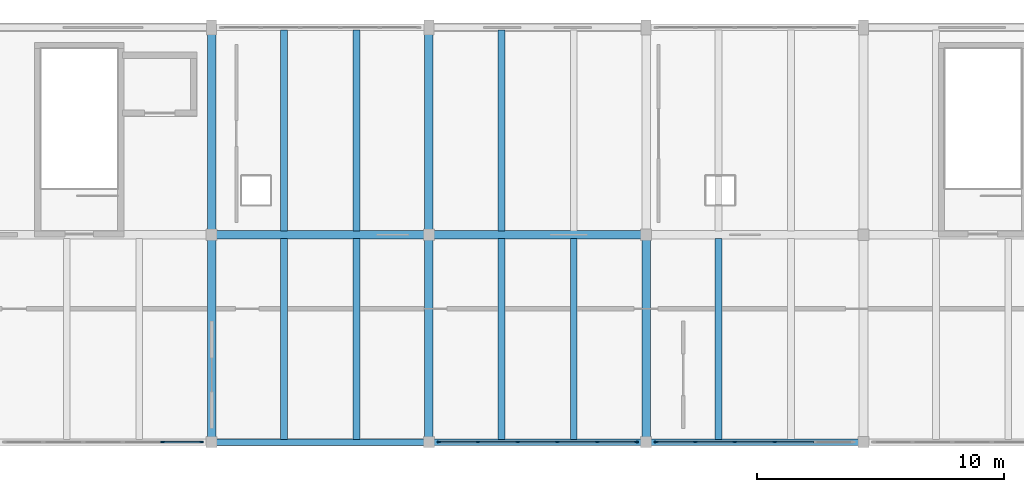
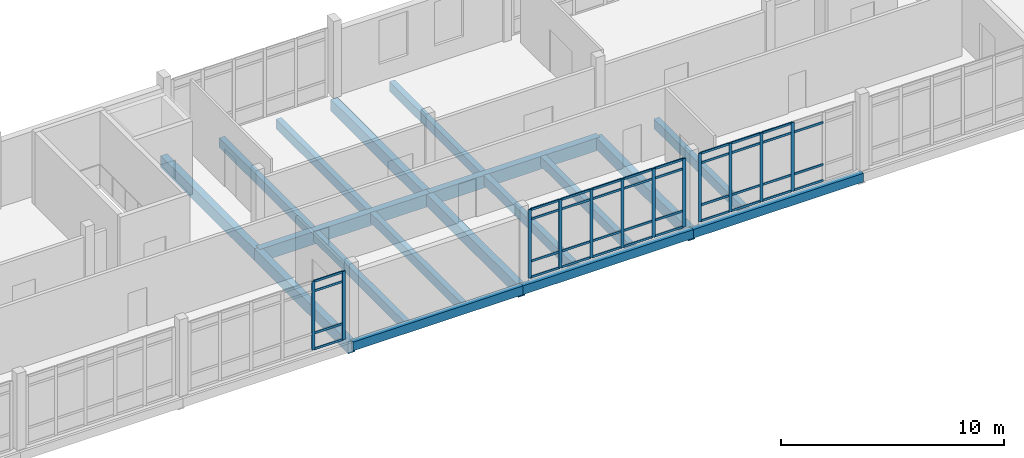
# One storey, part 5 of 13: 51 members, 18 beams, 3 elements without a shape of their own.
"""IFC4 building model written with IfcOpenShell, lengths in metres."""

from ifc_helpers import new_model, si_unit, direction, frame, origin, origin_2d, place, context, subcontext, project, spatial, rectangle, extrude, material, material_profile, profile_set, type_object, element, aggregate, save


model = new_model("IFC4")

# Units and contexts
model_context = context("Model", 3, precision=1e-05, world=origin(), true_north=direction((0.0, 1.0)))
body_context = subcontext(model_context, "Body", "Model", "MODEL_VIEW")
ifc_project = project(units=[si_unit("LENGTHUNIT", "METRE"), si_unit("AREAUNIT", "SQUARE_METRE"), si_unit("VOLUMEUNIT", "CUBIC_METRE"), si_unit("PLANEANGLEUNIT", "RADIAN"), si_unit("MASSUNIT", "GRAM", prefix="KILO")], contexts=[model_context])

# Site, building, storey
site_placement = place(None, origin())
site = spatial("IfcSite", under=ifc_project, at=site_placement, CompositionType="ELEMENT")
building_placement = place(site_placement, origin())
building = spatial("IfcBuilding", under=site, at=building_placement, Name="Cinderway Yard Community Centre", CompositionType="ELEMENT")
storey_placement = place(building_placement, frame((0.0, 0.0, 20.10009765625)))
storey = spatial("IfcBuildingStorey", under=building, at=storey_placement, Name="L05", CompositionType="ELEMENT", Elevation=20.10009765625)

# Curtain wall, members
ifc_material_1 = material(Name="Aluminium 6063-T6", Category="aluminium")
curtain_wall_type = type_object("IfcCurtainWallType", Name="ENV-CW-TYPE-27", PredefinedType="USERDEFINED", material=ifc_material_1)
curtain_wall_1_placement = place(storey_placement, origin())
curtain_wall_1 = element("IfcCurtainWall", 1, at=curtain_wall_1_placement, inside=storey, type_object=curtain_wall_type, Name="V4 Courtyard Curtain Wall ENV-CW-L05-ST-0191", ObjectType="GLAZED CURTAIN WALL", PredefinedType="USERDEFINED")
ifc_material_profile_1 = material_profile(ifc_material_1, rectangle(XDim=0.06005859375, YDim=0.159912109375, at=origin_2d()), Name="Aluminium 6063-T6")
ifc_profile_set_1 = profile_set([ifc_material_profile_1], Name="Aluminium 6063-T6")
member_type_1 = type_object("IfcMemberType", Name="ENV-CW-MULL-150", PredefinedType="MULLION", material=ifc_profile_set_1)
member_1_placement = place(storey_placement, frame((82.011962890625, 98.39990234375, 0.0), z_axis=(0.0, 0.0, 1.0), x_axis=(0.0, 1.0, 0.0)))
member_1 = element("IfcMember", 2, at=member_1_placement, type_object=member_type_1, Name="CW-27 mullion 5", PredefinedType="MULLION", context=body_context, shape_type="SweptSolid", body=[
    extrude(rectangle(XDim=0.06005859375, YDim=0.159912109375, at=origin_2d()), origin(), (0.0, 0.0, 1.0), 3.75),
])
member_2_placement = place(storey_placement, frame((83.590087890625, 98.39990234375, 0.0), z_axis=(0.0, 0.0, 1.0), x_axis=(0.0, 1.0, 0.0)))
member_2 = element("IfcMember", 3, at=member_2_placement, type_object=member_type_1, Name="CW-27 mullion 6", PredefinedType="MULLION", context=body_context, shape_type="SweptSolid", body=[
    extrude(rectangle(XDim=0.06005859375, YDim=0.159912109375, at=origin_2d()), origin(), (0.0, 0.0, 1.0), 3.75),
])

curtain_wall_2_placement = place(storey_placement, origin())
curtain_wall_2 = element("IfcCurtainWall", 4, at=curtain_wall_2_placement, inside=storey, type_object=curtain_wall_type, Name="V4 Courtyard Curtain Wall ENV-CW-L05-ST-0193", ObjectType="GLAZED CURTAIN WALL", PredefinedType="USERDEFINED")
member_3_placement = place(storey_placement, frame((93.2099609375, 98.39990234375, 0.0), z_axis=(0.0, 0.0, 1.0), x_axis=(0.0, 1.0, 0.0)))
member_3 = element("IfcMember", 5, at=member_3_placement, type_object=member_type_1, Name="CW-27 mullion 1", PredefinedType="MULLION", context=body_context, shape_type="SweptSolid", body=[
    extrude(rectangle(XDim=0.06005859375, YDim=0.159912109375, at=origin_2d()), origin(), (0.0, 0.0, 1.0), 3.75),
])
member_4_placement = place(storey_placement, frame((94.7880859375, 98.39990234375, 0.0), z_axis=(0.0, 0.0, 1.0), x_axis=(0.0, 1.0, 0.0)))
member_4 = element("IfcMember", 6, at=member_4_placement, type_object=member_type_1, Name="CW-27 mullion 2", PredefinedType="MULLION", context=body_context, shape_type="SweptSolid", body=[
    extrude(rectangle(XDim=0.06005859375, YDim=0.159912109375, at=origin_2d()), origin(), (0.0, 0.0, 1.0), 3.75),
])
member_5_placement = place(storey_placement, frame((96.39599609375, 98.39990234375, 0.0), z_axis=(0.0, 0.0, 1.0), x_axis=(0.0, 1.0, 0.0)))
member_5 = element("IfcMember", 7, at=member_5_placement, type_object=member_type_1, Name="CW-27 mullion 3", PredefinedType="MULLION", context=body_context, shape_type="SweptSolid", body=[
    extrude(rectangle(XDim=0.06005859375, YDim=0.159912109375, at=origin_2d()), origin(), (0.0, 0.0, 1.0), 3.75),
])
member_6_placement = place(storey_placement, frame((98.00390625, 98.39990234375, 0.0), z_axis=(0.0, 0.0, 1.0), x_axis=(0.0, 1.0, 0.0)))
member_6 = element("IfcMember", 8, at=member_6_placement, type_object=member_type_1, Name="CW-27 mullion 4", PredefinedType="MULLION", context=body_context, shape_type="SweptSolid", body=[
    extrude(rectangle(XDim=0.06005859375, YDim=0.159912109375, at=origin_2d()), origin(), (0.0, 0.0, 1.0), 3.75),
])
member_7_placement = place(storey_placement, frame((99.612060546875, 98.39990234375, 0.0), z_axis=(0.0, 0.0, 1.0), x_axis=(0.0, 1.0, 0.0)))
member_7 = element("IfcMember", 9, at=member_7_placement, type_object=member_type_1, Name="CW-27 mullion 5", PredefinedType="MULLION", context=body_context, shape_type="SweptSolid", body=[
    extrude(rectangle(XDim=0.06005859375, YDim=0.159912109375, at=origin_2d()), origin(), (0.0, 0.0, 1.0), 3.75),
])
member_8_placement = place(storey_placement, frame((101.18994140625, 98.39990234375, 0.0), z_axis=(0.0, 0.0, 1.0), x_axis=(0.0, 1.0, 0.0)))
member_8 = element("IfcMember", 10, at=member_8_placement, type_object=member_type_1, Name="CW-27 mullion 6", PredefinedType="MULLION", context=body_context, shape_type="SweptSolid", body=[
    extrude(rectangle(XDim=0.06005859375, YDim=0.159912109375, at=origin_2d()), origin(), (0.0, 0.0, 1.0), 3.75),
])

curtain_wall_3_placement = place(storey_placement, origin())
curtain_wall_3 = element("IfcCurtainWall", 11, at=curtain_wall_3_placement, inside=storey, type_object=curtain_wall_type, Name="V4 Courtyard Curtain Wall ENV-CW-L05-ST-0195", ObjectType="GLAZED CURTAIN WALL", PredefinedType="USERDEFINED")
member_9_placement = place(storey_placement, frame((102.010009765625, 98.39990234375, 0.0), z_axis=(0.0, 0.0, 1.0), x_axis=(0.0, 1.0, 0.0)))
member_9 = element("IfcMember", 12, at=member_9_placement, type_object=member_type_1, Name="CW-27 mullion 1", PredefinedType="MULLION", context=body_context, shape_type="SweptSolid", body=[
    extrude(rectangle(XDim=0.06005859375, YDim=0.159912109375, at=origin_2d()), origin(), (0.0, 0.0, 1.0), 3.75),
])
member_10_placement = place(storey_placement, frame((103.587890625, 98.39990234375, 0.0), z_axis=(0.0, 0.0, 1.0), x_axis=(0.0, 1.0, 0.0)))
member_10 = element("IfcMember", 13, at=member_10_placement, type_object=member_type_1, Name="CW-27 mullion 2", PredefinedType="MULLION", context=body_context, shape_type="SweptSolid", body=[
    extrude(rectangle(XDim=0.06005859375, YDim=0.159912109375, at=origin_2d()), origin(), (0.0, 0.0, 1.0), 3.75),
])
member_11_placement = place(storey_placement, frame((105.196044921875, 98.39990234375, 0.0), z_axis=(0.0, 0.0, 1.0), x_axis=(0.0, 1.0, 0.0)))
member_11 = element("IfcMember", 14, at=member_11_placement, type_object=member_type_1, Name="CW-27 mullion 3", PredefinedType="MULLION", context=body_context, shape_type="SweptSolid", body=[
    extrude(rectangle(XDim=0.06005859375, YDim=0.159912109375, at=origin_2d()), origin(), (0.0, 0.0, 1.0), 3.75),
])
member_12_placement = place(storey_placement, frame((106.803955078125, 98.39990234375, 0.0), z_axis=(0.0, 0.0, 1.0), x_axis=(0.0, 1.0, 0.0)))
member_12 = element("IfcMember", 15, at=member_12_placement, type_object=member_type_1, Name="CW-27 mullion 4", PredefinedType="MULLION", context=body_context, shape_type="SweptSolid", body=[
    extrude(rectangle(XDim=0.06005859375, YDim=0.159912109375, at=origin_2d()), origin(), (0.0, 0.0, 1.0), 3.75),
])

# Member
ifc_material_profile_2 = material_profile(ifc_material_1, rectangle(XDim=0.06005859375, YDim=0.1201171875, at=origin_2d()), Name="Aluminium 6063-T6")
ifc_profile_set_2 = profile_set([ifc_material_profile_2], Name="Aluminium 6063-T6")
member_type_2 = type_object("IfcMemberType", Name="ENV-CW-TRAN-110", PredefinedType="USERDEFINED", material=ifc_profile_set_2)
member_13_placement = place(storey_placement, frame((82.0419921875, 98.39990234375, 0.02978515625), z_axis=(1.0, 0.0, 0.0), x_axis=(0.0, 1.0, 0.0)))
member_13 = element("IfcMember", 16, at=member_13_placement, type_object=member_type_2, Name="CW-27 transom 5.1", ObjectType="TRANSOM", PredefinedType="USERDEFINED", context=body_context, shape_type="SweptSolid", body=[
    extrude(rectangle(XDim=0.06005859375, YDim=0.1201171875, at=origin_2d()), origin(), (0.0, 0.0, 1.0), 1.51806640625),
])

member_14_placement = place(storey_placement, frame((82.0419921875, 98.39990234375, 0.89990234375), z_axis=(1.0, 0.0, 0.0), x_axis=(0.0, 1.0, 0.0)))
member_14 = element("IfcMember", 17, at=member_14_placement, type_object=member_type_2, Name="CW-27 transom 5.2", ObjectType="TRANSOM", PredefinedType="USERDEFINED", context=body_context, shape_type="SweptSolid", body=[
    extrude(rectangle(XDim=0.06005859375, YDim=0.1201171875, at=origin_2d()), origin(), (0.0, 0.0, 1.0), 1.51806640625),
])

member_15_placement = place(storey_placement, frame((82.0419921875, 98.39990234375, 3.199951171875), z_axis=(1.0, 0.0, 0.0), x_axis=(0.0, 1.0, 0.0)))
member_15 = element("IfcMember", 18, at=member_15_placement, type_object=member_type_2, Name="CW-27 transom 5.3", ObjectType="TRANSOM", PredefinedType="USERDEFINED", context=body_context, shape_type="SweptSolid", body=[
    extrude(rectangle(XDim=0.06005859375, YDim=0.1201171875, at=origin_2d()), origin(), (0.0, 0.0, 1.0), 1.51806640625),
])

member_16_placement = place(storey_placement, frame((82.0419921875, 98.39990234375, 3.719970703125), z_axis=(1.0, 0.0, 0.0), x_axis=(0.0, 1.0, 0.0)))
member_16 = element("IfcMember", 19, at=member_16_placement, type_object=member_type_2, Name="CW-27 transom 5.4", ObjectType="TRANSOM", PredefinedType="USERDEFINED", context=body_context, shape_type="SweptSolid", body=[
    extrude(rectangle(XDim=0.06005859375, YDim=0.1201171875, at=origin_2d()), origin(), (0.0, 0.0, 1.0), 1.51806640625),
])

aggregate(curtain_wall_1, [member_1, member_2, member_13, member_14, member_15, member_16])

member_17_placement = place(storey_placement, frame((93.239990234375, 98.39990234375, 0.02978515625), z_axis=(1.0, 0.0, 0.0), x_axis=(0.0, 1.0, 0.0)))
member_17 = element("IfcMember", 20, at=member_17_placement, type_object=member_type_2, Name="CW-27 transom 1.1", ObjectType="TRANSOM", PredefinedType="USERDEFINED", context=body_context, shape_type="SweptSolid", body=[
    extrude(rectangle(XDim=0.06005859375, YDim=0.1201171875, at=origin_2d()), origin(), (0.0, 0.0, 1.0), 1.51806640625),
])

member_18_placement = place(storey_placement, frame((93.239990234375, 98.39990234375, 0.89990234375), z_axis=(1.0, 0.0, 0.0), x_axis=(0.0, 1.0, 0.0)))
member_18 = element("IfcMember", 21, at=member_18_placement, type_object=member_type_2, Name="CW-27 transom 1.2", ObjectType="TRANSOM", PredefinedType="USERDEFINED", context=body_context, shape_type="SweptSolid", body=[
    extrude(rectangle(XDim=0.06005859375, YDim=0.1201171875, at=origin_2d()), origin(), (0.0, 0.0, 1.0), 1.51806640625),
])

member_19_placement = place(storey_placement, frame((93.239990234375, 98.39990234375, 3.199951171875), z_axis=(1.0, 0.0, 0.0), x_axis=(0.0, 1.0, 0.0)))
member_19 = element("IfcMember", 22, at=member_19_placement, type_object=member_type_2, Name="CW-27 transom 1.3", ObjectType="TRANSOM", PredefinedType="USERDEFINED", context=body_context, shape_type="SweptSolid", body=[
    extrude(rectangle(XDim=0.06005859375, YDim=0.1201171875, at=origin_2d()), origin(), (0.0, 0.0, 1.0), 1.51806640625),
])

member_20_placement = place(storey_placement, frame((93.239990234375, 98.39990234375, 3.719970703125), z_axis=(1.0, 0.0, 0.0), x_axis=(0.0, 1.0, 0.0)))
member_20 = element("IfcMember", 23, at=member_20_placement, type_object=member_type_2, Name="CW-27 transom 1.4", ObjectType="TRANSOM", PredefinedType="USERDEFINED", context=body_context, shape_type="SweptSolid", body=[
    extrude(rectangle(XDim=0.06005859375, YDim=0.1201171875, at=origin_2d()), origin(), (0.0, 0.0, 1.0), 1.51806640625),
])

member_21_placement = place(storey_placement, frame((94.818115234375, 98.39990234375, 0.02978515625), z_axis=(1.0, 0.0, 0.0), x_axis=(0.0, 1.0, 0.0)))
member_21 = element("IfcMember", 24, at=member_21_placement, type_object=member_type_2, Name="CW-27 transom 2.1", ObjectType="TRANSOM", PredefinedType="USERDEFINED", context=body_context, shape_type="SweptSolid", body=[
    extrude(rectangle(XDim=0.06005859375, YDim=0.1201171875, at=origin_2d()), origin(), (0.0, 0.0, 1.0), 1.5478515625),
])

member_22_placement = place(storey_placement, frame((94.818115234375, 98.39990234375, 0.89990234375), z_axis=(1.0, 0.0, 0.0), x_axis=(0.0, 1.0, 0.0)))
member_22 = element("IfcMember", 25, at=member_22_placement, type_object=member_type_2, Name="CW-27 transom 2.2", ObjectType="TRANSOM", PredefinedType="USERDEFINED", context=body_context, shape_type="SweptSolid", body=[
    extrude(rectangle(XDim=0.06005859375, YDim=0.1201171875, at=origin_2d()), origin(), (0.0, 0.0, 1.0), 1.5478515625),
])

member_23_placement = place(storey_placement, frame((94.818115234375, 98.39990234375, 3.199951171875), z_axis=(1.0, 0.0, 0.0), x_axis=(0.0, 1.0, 0.0)))
member_23 = element("IfcMember", 26, at=member_23_placement, type_object=member_type_2, Name="CW-27 transom 2.3", ObjectType="TRANSOM", PredefinedType="USERDEFINED", context=body_context, shape_type="SweptSolid", body=[
    extrude(rectangle(XDim=0.06005859375, YDim=0.1201171875, at=origin_2d()), origin(), (0.0, 0.0, 1.0), 1.5478515625),
])

member_24_placement = place(storey_placement, frame((94.818115234375, 98.39990234375, 3.719970703125), z_axis=(1.0, 0.0, 0.0), x_axis=(0.0, 1.0, 0.0)))
member_24 = element("IfcMember", 27, at=member_24_placement, type_object=member_type_2, Name="CW-27 transom 2.4", ObjectType="TRANSOM", PredefinedType="USERDEFINED", context=body_context, shape_type="SweptSolid", body=[
    extrude(rectangle(XDim=0.06005859375, YDim=0.1201171875, at=origin_2d()), origin(), (0.0, 0.0, 1.0), 1.5478515625),
])

member_25_placement = place(storey_placement, frame((96.426025390625, 98.39990234375, 0.02978515625), z_axis=(1.0, 0.0, 0.0), x_axis=(0.0, 1.0, 0.0)))
member_25 = element("IfcMember", 28, at=member_25_placement, type_object=member_type_2, Name="CW-27 transom 3.1", ObjectType="TRANSOM", PredefinedType="USERDEFINED", context=body_context, shape_type="SweptSolid", body=[
    extrude(rectangle(XDim=0.06005859375, YDim=0.1201171875, at=origin_2d()), origin(), (0.0, 0.0, 1.0), 1.548095703125),
])

member_26_placement = place(storey_placement, frame((96.426025390625, 98.39990234375, 0.89990234375), z_axis=(1.0, 0.0, 0.0), x_axis=(0.0, 1.0, 0.0)))
member_26 = element("IfcMember", 29, at=member_26_placement, type_object=member_type_2, Name="CW-27 transom 3.2", ObjectType="TRANSOM", PredefinedType="USERDEFINED", context=body_context, shape_type="SweptSolid", body=[
    extrude(rectangle(XDim=0.06005859375, YDim=0.1201171875, at=origin_2d()), origin(), (0.0, 0.0, 1.0), 1.548095703125),
])

member_27_placement = place(storey_placement, frame((96.426025390625, 98.39990234375, 3.199951171875), z_axis=(1.0, 0.0, 0.0), x_axis=(0.0, 1.0, 0.0)))
member_27 = element("IfcMember", 30, at=member_27_placement, type_object=member_type_2, Name="CW-27 transom 3.3", ObjectType="TRANSOM", PredefinedType="USERDEFINED", context=body_context, shape_type="SweptSolid", body=[
    extrude(rectangle(XDim=0.06005859375, YDim=0.1201171875, at=origin_2d()), origin(), (0.0, 0.0, 1.0), 1.548095703125),
])

member_28_placement = place(storey_placement, frame((96.426025390625, 98.39990234375, 3.719970703125), z_axis=(1.0, 0.0, 0.0), x_axis=(0.0, 1.0, 0.0)))
member_28 = element("IfcMember", 31, at=member_28_placement, type_object=member_type_2, Name="CW-27 transom 3.4", ObjectType="TRANSOM", PredefinedType="USERDEFINED", context=body_context, shape_type="SweptSolid", body=[
    extrude(rectangle(XDim=0.06005859375, YDim=0.1201171875, at=origin_2d()), origin(), (0.0, 0.0, 1.0), 1.548095703125),
])

member_29_placement = place(storey_placement, frame((98.033935546875, 98.39990234375, 0.02978515625), z_axis=(1.0, 0.0, 0.0), x_axis=(0.0, 1.0, 0.0)))
member_29 = element("IfcMember", 32, at=member_29_placement, type_object=member_type_2, Name="CW-27 transom 4.1", ObjectType="TRANSOM", PredefinedType="USERDEFINED", context=body_context, shape_type="SweptSolid", body=[
    extrude(rectangle(XDim=0.06005859375, YDim=0.1201171875, at=origin_2d()), origin(), (0.0, 0.0, 1.0), 1.548095703125),
])

member_30_placement = place(storey_placement, frame((98.033935546875, 98.39990234375, 0.89990234375), z_axis=(1.0, 0.0, 0.0), x_axis=(0.0, 1.0, 0.0)))
member_30 = element("IfcMember", 33, at=member_30_placement, type_object=member_type_2, Name="CW-27 transom 4.2", ObjectType="TRANSOM", PredefinedType="USERDEFINED", context=body_context, shape_type="SweptSolid", body=[
    extrude(rectangle(XDim=0.06005859375, YDim=0.1201171875, at=origin_2d()), origin(), (0.0, 0.0, 1.0), 1.548095703125),
])

member_31_placement = place(storey_placement, frame((98.033935546875, 98.39990234375, 3.199951171875), z_axis=(1.0, 0.0, 0.0), x_axis=(0.0, 1.0, 0.0)))
member_31 = element("IfcMember", 34, at=member_31_placement, type_object=member_type_2, Name="CW-27 transom 4.3", ObjectType="TRANSOM", PredefinedType="USERDEFINED", context=body_context, shape_type="SweptSolid", body=[
    extrude(rectangle(XDim=0.06005859375, YDim=0.1201171875, at=origin_2d()), origin(), (0.0, 0.0, 1.0), 1.548095703125),
])

member_32_placement = place(storey_placement, frame((98.033935546875, 98.39990234375, 3.719970703125), z_axis=(1.0, 0.0, 0.0), x_axis=(0.0, 1.0, 0.0)))
member_32 = element("IfcMember", 35, at=member_32_placement, type_object=member_type_2, Name="CW-27 transom 4.4", ObjectType="TRANSOM", PredefinedType="USERDEFINED", context=body_context, shape_type="SweptSolid", body=[
    extrude(rectangle(XDim=0.06005859375, YDim=0.1201171875, at=origin_2d()), origin(), (0.0, 0.0, 1.0), 1.548095703125),
])

member_33_placement = place(storey_placement, frame((99.64208984375, 98.39990234375, 0.02978515625), z_axis=(1.0, 0.0, 0.0), x_axis=(0.0, 1.0, 0.0)))
member_33 = element("IfcMember", 36, at=member_33_placement, type_object=member_type_2, Name="CW-27 transom 5.1", ObjectType="TRANSOM", PredefinedType="USERDEFINED", context=body_context, shape_type="SweptSolid", body=[
    extrude(rectangle(XDim=0.06005859375, YDim=0.1201171875, at=origin_2d()), origin(), (0.0, 0.0, 1.0), 1.517822265625),
])

member_34_placement = place(storey_placement, frame((99.64208984375, 98.39990234375, 0.89990234375), z_axis=(1.0, 0.0, 0.0), x_axis=(0.0, 1.0, 0.0)))
member_34 = element("IfcMember", 37, at=member_34_placement, type_object=member_type_2, Name="CW-27 transom 5.2", ObjectType="TRANSOM", PredefinedType="USERDEFINED", context=body_context, shape_type="SweptSolid", body=[
    extrude(rectangle(XDim=0.06005859375, YDim=0.1201171875, at=origin_2d()), origin(), (0.0, 0.0, 1.0), 1.517822265625),
])

member_35_placement = place(storey_placement, frame((99.64208984375, 98.39990234375, 3.199951171875), z_axis=(1.0, 0.0, 0.0), x_axis=(0.0, 1.0, 0.0)))
member_35 = element("IfcMember", 38, at=member_35_placement, type_object=member_type_2, Name="CW-27 transom 5.3", ObjectType="TRANSOM", PredefinedType="USERDEFINED", context=body_context, shape_type="SweptSolid", body=[
    extrude(rectangle(XDim=0.06005859375, YDim=0.1201171875, at=origin_2d()), origin(), (0.0, 0.0, 1.0), 1.517822265625),
])

member_36_placement = place(storey_placement, frame((99.64208984375, 98.39990234375, 3.719970703125), z_axis=(1.0, 0.0, 0.0), x_axis=(0.0, 1.0, 0.0)))
member_36 = element("IfcMember", 39, at=member_36_placement, type_object=member_type_2, Name="CW-27 transom 5.4", ObjectType="TRANSOM", PredefinedType="USERDEFINED", context=body_context, shape_type="SweptSolid", body=[
    extrude(rectangle(XDim=0.06005859375, YDim=0.1201171875, at=origin_2d()), origin(), (0.0, 0.0, 1.0), 1.517822265625),
])

aggregate(curtain_wall_2, [member_3, member_4, member_5, member_6, member_7, member_8, member_17, member_18, member_19, member_20, member_21, member_22, member_23, member_24, member_25, member_26, member_27, member_28, member_29, member_30, member_31, member_32, member_33, member_34, member_35, member_36])

member_37_placement = place(storey_placement, frame((102.0400390625, 98.39990234375, 0.02978515625), z_axis=(1.0, 0.0, 0.0), x_axis=(0.0, 1.0, 0.0)))
member_37 = element("IfcMember", 40, at=member_37_placement, type_object=member_type_2, Name="CW-27 transom 1.1", ObjectType="TRANSOM", PredefinedType="USERDEFINED", context=body_context, shape_type="SweptSolid", body=[
    extrude(rectangle(XDim=0.06005859375, YDim=0.1201171875, at=origin_2d()), origin(), (0.0, 0.0, 1.0), 1.51806640625),
])

member_38_placement = place(storey_placement, frame((102.0400390625, 98.39990234375, 0.89990234375), z_axis=(1.0, 0.0, 0.0), x_axis=(0.0, 1.0, 0.0)))
member_38 = element("IfcMember", 41, at=member_38_placement, type_object=member_type_2, Name="CW-27 transom 1.2", ObjectType="TRANSOM", PredefinedType="USERDEFINED", context=body_context, shape_type="SweptSolid", body=[
    extrude(rectangle(XDim=0.06005859375, YDim=0.1201171875, at=origin_2d()), origin(), (0.0, 0.0, 1.0), 1.51806640625),
])

member_39_placement = place(storey_placement, frame((102.0400390625, 98.39990234375, 3.199951171875), z_axis=(1.0, 0.0, 0.0), x_axis=(0.0, 1.0, 0.0)))
member_39 = element("IfcMember", 42, at=member_39_placement, type_object=member_type_2, Name="CW-27 transom 1.3", ObjectType="TRANSOM", PredefinedType="USERDEFINED", context=body_context, shape_type="SweptSolid", body=[
    extrude(rectangle(XDim=0.06005859375, YDim=0.1201171875, at=origin_2d()), origin(), (0.0, 0.0, 1.0), 1.51806640625),
])

member_40_placement = place(storey_placement, frame((102.0400390625, 98.39990234375, 3.719970703125), z_axis=(1.0, 0.0, 0.0), x_axis=(0.0, 1.0, 0.0)))
member_40 = element("IfcMember", 43, at=member_40_placement, type_object=member_type_2, Name="CW-27 transom 1.4", ObjectType="TRANSOM", PredefinedType="USERDEFINED", context=body_context, shape_type="SweptSolid", body=[
    extrude(rectangle(XDim=0.06005859375, YDim=0.1201171875, at=origin_2d()), origin(), (0.0, 0.0, 1.0), 1.51806640625),
])

member_41_placement = place(storey_placement, frame((103.617919921875, 98.39990234375, 0.02978515625), z_axis=(1.0, 0.0, 0.0), x_axis=(0.0, 1.0, 0.0)))
member_41 = element("IfcMember", 44, at=member_41_placement, type_object=member_type_2, Name="CW-27 transom 2.1", ObjectType="TRANSOM", PredefinedType="USERDEFINED", context=body_context, shape_type="SweptSolid", body=[
    extrude(rectangle(XDim=0.06005859375, YDim=0.1201171875, at=origin_2d()), origin(), (0.0, 0.0, 1.0), 1.548095703125),
])

member_42_placement = place(storey_placement, frame((103.617919921875, 98.39990234375, 0.89990234375), z_axis=(1.0, 0.0, 0.0), x_axis=(0.0, 1.0, 0.0)))
member_42 = element("IfcMember", 45, at=member_42_placement, type_object=member_type_2, Name="CW-27 transom 2.2", ObjectType="TRANSOM", PredefinedType="USERDEFINED", context=body_context, shape_type="SweptSolid", body=[
    extrude(rectangle(XDim=0.06005859375, YDim=0.1201171875, at=origin_2d()), origin(), (0.0, 0.0, 1.0), 1.548095703125),
])

member_43_placement = place(storey_placement, frame((103.617919921875, 98.39990234375, 3.199951171875), z_axis=(1.0, 0.0, 0.0), x_axis=(0.0, 1.0, 0.0)))
member_43 = element("IfcMember", 46, at=member_43_placement, type_object=member_type_2, Name="CW-27 transom 2.3", ObjectType="TRANSOM", PredefinedType="USERDEFINED", context=body_context, shape_type="SweptSolid", body=[
    extrude(rectangle(XDim=0.06005859375, YDim=0.1201171875, at=origin_2d()), origin(), (0.0, 0.0, 1.0), 1.548095703125),
])

member_44_placement = place(storey_placement, frame((103.617919921875, 98.39990234375, 3.719970703125), z_axis=(1.0, 0.0, 0.0), x_axis=(0.0, 1.0, 0.0)))
member_44 = element("IfcMember", 47, at=member_44_placement, type_object=member_type_2, Name="CW-27 transom 2.4", ObjectType="TRANSOM", PredefinedType="USERDEFINED", context=body_context, shape_type="SweptSolid", body=[
    extrude(rectangle(XDim=0.06005859375, YDim=0.1201171875, at=origin_2d()), origin(), (0.0, 0.0, 1.0), 1.548095703125),
])

member_45_placement = place(storey_placement, frame((105.22607421875, 98.39990234375, 0.02978515625), z_axis=(1.0, 0.0, 0.0), x_axis=(0.0, 1.0, 0.0)))
member_45 = element("IfcMember", 48, at=member_45_placement, type_object=member_type_2, Name="CW-27 transom 3.1", ObjectType="TRANSOM", PredefinedType="USERDEFINED", context=body_context, shape_type="SweptSolid", body=[
    extrude(rectangle(XDim=0.06005859375, YDim=0.1201171875, at=origin_2d()), origin(), (0.0, 0.0, 1.0), 1.5478515625),
])

member_46_placement = place(storey_placement, frame((105.22607421875, 98.39990234375, 0.89990234375), z_axis=(1.0, 0.0, 0.0), x_axis=(0.0, 1.0, 0.0)))
member_46 = element("IfcMember", 49, at=member_46_placement, type_object=member_type_2, Name="CW-27 transom 3.2", ObjectType="TRANSOM", PredefinedType="USERDEFINED", context=body_context, shape_type="SweptSolid", body=[
    extrude(rectangle(XDim=0.06005859375, YDim=0.1201171875, at=origin_2d()), origin(), (0.0, 0.0, 1.0), 1.5478515625),
])

member_47_placement = place(storey_placement, frame((105.22607421875, 98.39990234375, 3.199951171875), z_axis=(1.0, 0.0, 0.0), x_axis=(0.0, 1.0, 0.0)))
member_47 = element("IfcMember", 50, at=member_47_placement, type_object=member_type_2, Name="CW-27 transom 3.3", ObjectType="TRANSOM", PredefinedType="USERDEFINED", context=body_context, shape_type="SweptSolid", body=[
    extrude(rectangle(XDim=0.06005859375, YDim=0.1201171875, at=origin_2d()), origin(), (0.0, 0.0, 1.0), 1.5478515625),
])

member_48_placement = place(storey_placement, frame((105.22607421875, 98.39990234375, 3.719970703125), z_axis=(1.0, 0.0, 0.0), x_axis=(0.0, 1.0, 0.0)))
member_48 = element("IfcMember", 51, at=member_48_placement, type_object=member_type_2, Name="CW-27 transom 3.4", ObjectType="TRANSOM", PredefinedType="USERDEFINED", context=body_context, shape_type="SweptSolid", body=[
    extrude(rectangle(XDim=0.06005859375, YDim=0.1201171875, at=origin_2d()), origin(), (0.0, 0.0, 1.0), 1.5478515625),
])

member_49_placement = place(storey_placement, frame((106.833984375, 98.39990234375, 0.02978515625), z_axis=(1.0, 0.0, 0.0), x_axis=(0.0, 1.0, 0.0)))
member_49 = element("IfcMember", 52, at=member_49_placement, type_object=member_type_2, Name="CW-27 transom 4.1", ObjectType="TRANSOM", PredefinedType="USERDEFINED", context=body_context, shape_type="SweptSolid", body=[
    extrude(rectangle(XDim=0.06005859375, YDim=0.1201171875, at=origin_2d()), origin(), (0.0, 0.0, 1.0), 1.548095703125),
])

member_50_placement = place(storey_placement, frame((106.833984375, 98.39990234375, 0.89990234375), z_axis=(1.0, 0.0, 0.0), x_axis=(0.0, 1.0, 0.0)))
member_50 = element("IfcMember", 53, at=member_50_placement, type_object=member_type_2, Name="CW-27 transom 4.2", ObjectType="TRANSOM", PredefinedType="USERDEFINED", context=body_context, shape_type="SweptSolid", body=[
    extrude(rectangle(XDim=0.06005859375, YDim=0.1201171875, at=origin_2d()), origin(), (0.0, 0.0, 1.0), 1.548095703125),
])

member_51_placement = place(storey_placement, frame((106.833984375, 98.39990234375, 3.199951171875), z_axis=(1.0, 0.0, 0.0), x_axis=(0.0, 1.0, 0.0)))
member_51 = element("IfcMember", 54, at=member_51_placement, type_object=member_type_2, Name="CW-27 transom 4.3", ObjectType="TRANSOM", PredefinedType="USERDEFINED", context=body_context, shape_type="SweptSolid", body=[
    extrude(rectangle(XDim=0.06005859375, YDim=0.1201171875, at=origin_2d()), origin(), (0.0, 0.0, 1.0), 1.548095703125),
])

aggregate(curtain_wall_3, [member_9, member_10, member_11, member_12, member_37, member_38, member_39, member_40, member_41, member_42, member_43, member_44, member_45, member_46, member_47, member_48, member_49, member_50, member_51])

# Beams
ifc_material_2 = material(Name="Concrete C40/50", Category="concrete")
ifc_material_profile_3 = material_profile(ifc_material_2, rectangle(XDim=0.260009765625, YDim=0.47998046875, at=origin_2d()), Name="Concrete C40/50")
ifc_profile_set_3 = profile_set([ifc_material_profile_3], Name="Concrete C40/50")
beam_type_1 = type_object("IfcBeamType", Name="STR-BM-RC260X480", PredefinedType="SPANDREL", material=ifc_profile_set_3)
for number, where, z_axis, x_axis, name in (
    (55, (84.0, 98.39990234375, -0.460205078125), (1.0, 0.0, 0.0), (0.0, 1.0, 0.0), "Primary girder STR-BM-L05-SP01-0926"),
    (56, (92.800048828125, 98.39990234375, -0.460205078125), (1.0, 0.0, 0.0), (0.0, 1.0, 0.0), "Primary girder STR-BM-L05-SP01-0927"),
):
    element("IfcBeam", number, at=place(storey_placement, frame(where, z_axis=z_axis, x_axis=x_axis)), inside=storey, type_object=beam_type_1, Name=name, PredefinedType="SPANDREL", context=body_context, shape_type="SweptSolid", body=[
        extrude(rectangle(XDim=0.260009765625, YDim=0.47998046875, at=origin_2d()), origin(), (0.0, 0.0, 1.0), 8.800048828125),
    ])
beam_1_placement = place(storey_placement, frame((101.60009765625, 98.39990234375, -0.460205078125), z_axis=(1.0, 0.0, 0.0), x_axis=(0.0, 1.0, 0.0)))
element("IfcBeam", 57, at=beam_1_placement, inside=storey, type_object=beam_type_1, Name="Primary girder STR-BM-L05-SP01-0928", PredefinedType="SPANDREL", context=body_context, shape_type="SweptSolid", body=[
    extrude(rectangle(XDim=0.260009765625, YDim=0.47998046875, at=origin_2d()), origin(), (0.0, 0.0, 1.0), 8.7998046875),
])
ifc_material_3 = material(Name="Concrete C35/45", Category="concrete")
ifc_material_profile_4 = material_profile(ifc_material_3, rectangle(XDim=0.280029296875, YDim=0.52001953125, at=origin_2d()), Name="Concrete C35/45")
ifc_profile_set_4 = profile_set([ifc_material_profile_4], Name="Concrete C35/45")
beam_type_2 = type_object("IfcBeamType", Name="STR-BM-RC280X520", PredefinedType="JOIST", material=ifc_profile_set_4)
for number, where, z_axis, x_axis, name in (
    (58, (86.93310546875, 98.511962890625, -0.47998046875), (0.0, 1.0, 0.0), (-1.0, 0.0, 0.0), "Secondary joist STR-BM-L05-BJ04-0981"),
    (59, (89.866943359375, 98.511962890625, -0.47998046875), (0.0, 1.0, 0.0), (-1.0, 0.0, 0.0), "Secondary joist STR-BM-L05-BJ04-0982"),
):
    element("IfcBeam", number, at=place(storey_placement, frame(where, z_axis=z_axis, x_axis=x_axis)), inside=storey, type_object=beam_type_2, Name=name, PredefinedType="JOIST", context=body_context, shape_type="SweptSolid", body=[
        extrude(rectangle(XDim=0.280029296875, YDim=0.52001953125, at=origin_2d()), origin(), (0.0, 0.0, 1.0), 8.131103515625),
    ])
for number, where, z_axis, x_axis, name in (
    (60, (86.93310546875, 106.95703125, -0.47998046875), (0.0, 1.0, 0.0), (-1.0, 0.0, 0.0), "Secondary joist STR-BM-L05-BJ04-0983"),
    (61, (89.866943359375, 106.95703125, -0.47998046875), (0.0, 1.0, 0.0), (-1.0, 0.0, 0.0), "Secondary joist STR-BM-L05-BJ04-0984"),
):
    element("IfcBeam", number, at=place(storey_placement, frame(where, z_axis=z_axis, x_axis=x_axis)), inside=storey, type_object=beam_type_2, Name=name, PredefinedType="JOIST", context=body_context, shape_type="SweptSolid", body=[
        extrude(rectangle(XDim=0.280029296875, YDim=0.52001953125, at=origin_2d()), origin(), (0.0, 0.0, 1.0), 8.130859375),
    ])
for number, where, z_axis, x_axis, name in (
    (62, (95.73291015625, 98.511962890625, -0.47998046875), (0.0, 1.0, 0.0), (-1.0, 0.0, 0.0), "Secondary joist STR-BM-L05-BJ04-0985"),
    (63, (98.6669921875, 98.511962890625, -0.47998046875), (0.0, 1.0, 0.0), (-1.0, 0.0, 0.0), "Secondary joist STR-BM-L05-BJ04-0986"),
):
    element("IfcBeam", number, at=place(storey_placement, frame(where, z_axis=z_axis, x_axis=x_axis)), inside=storey, type_object=beam_type_2, Name=name, PredefinedType="JOIST", context=body_context, shape_type="SweptSolid", body=[
        extrude(rectangle(XDim=0.280029296875, YDim=0.52001953125, at=origin_2d()), origin(), (0.0, 0.0, 1.0), 8.131103515625),
    ])
beam_2_placement = place(storey_placement, frame((95.73291015625, 106.95703125, -0.47998046875), z_axis=(0.0, 1.0, 0.0), x_axis=(-1.0, 0.0, 0.0)))
element("IfcBeam", 64, at=beam_2_placement, inside=storey, type_object=beam_type_2, Name="Secondary joist STR-BM-L05-BJ04-0987", PredefinedType="JOIST", context=body_context, shape_type="SweptSolid", body=[
    extrude(rectangle(XDim=0.280029296875, YDim=0.52001953125, at=origin_2d()), origin(), (0.0, 0.0, 1.0), 8.130859375),
])
beam_3_placement = place(storey_placement, frame((104.532958984375, 98.511962890625, -0.47998046875), z_axis=(0.0, 1.0, 0.0), x_axis=(-1.0, 0.0, 0.0)))
element("IfcBeam", 65, at=beam_3_placement, inside=storey, type_object=beam_type_2, Name="Secondary joist STR-BM-L05-BJ04-0989", PredefinedType="JOIST", context=body_context, shape_type="SweptSolid", body=[
    extrude(rectangle(XDim=0.280029296875, YDim=0.52001953125, at=origin_2d()), origin(), (0.0, 0.0, 1.0), 8.131103515625),
])
ifc_material_profile_5 = material_profile(ifc_material_3, rectangle(XDim=0.35009765625, YDim=0.64990234375, at=origin_2d()), Name="Concrete C35/45")
ifc_profile_set_5 = profile_set([ifc_material_profile_5], Name="Concrete C35/45")
beam_type_3 = type_object("IfcBeamType", Name="STR-BM-RC350X650", PredefinedType="BEAM", material=ifc_profile_set_5)
beam_4_placement = place(storey_placement, frame((84.0, 98.39990234375, -0.545166015625), z_axis=(0.0, 1.0, 0.0), x_axis=(-1.0, 0.0, 0.0)))
element("IfcBeam", 66, at=beam_4_placement, inside=storey, type_object=beam_type_3, Name="Transverse girder STR-BM-L05-BG08-0957", PredefinedType="BEAM", context=body_context, shape_type="SweptSolid", body=[
    extrude(rectangle(XDim=0.35009765625, YDim=0.64990234375, at=origin_2d()), origin(), (0.0, 0.0, 1.0), 8.400146484375),
])
beam_5_placement = place(storey_placement, frame((84.0, 106.800048828125, -0.545166015625), z_axis=(0.0, 1.0, 0.0), x_axis=(-1.0, 0.0, 0.0)))
element("IfcBeam", 67, at=beam_5_placement, inside=storey, type_object=beam_type_3, Name="Transverse girder STR-BM-L05-BG08-0958", PredefinedType="BEAM", context=body_context, shape_type="SweptSolid", body=[
    extrude(rectangle(XDim=0.35009765625, YDim=0.64990234375, at=origin_2d()), origin(), (0.0, 0.0, 1.0), 8.39990234375),
])
beam_6_placement = place(storey_placement, frame((92.800048828125, 98.39990234375, -0.545166015625), z_axis=(0.0, 1.0, 0.0), x_axis=(-1.0, 0.0, 0.0)))
element("IfcBeam", 68, at=beam_6_placement, inside=storey, type_object=beam_type_3, Name="Transverse girder STR-BM-L05-BG08-0959", PredefinedType="BEAM", context=body_context, shape_type="SweptSolid", body=[
    extrude(rectangle(XDim=0.35009765625, YDim=0.64990234375, at=origin_2d()), origin(), (0.0, 0.0, 1.0), 8.400146484375),
])
beam_7_placement = place(storey_placement, frame((92.800048828125, 106.800048828125, -0.545166015625), z_axis=(0.0, 1.0, 0.0), x_axis=(-1.0, 0.0, 0.0)))
element("IfcBeam", 69, at=beam_7_placement, inside=storey, type_object=beam_type_3, Name="Transverse girder STR-BM-L05-BG08-0960", PredefinedType="BEAM", context=body_context, shape_type="SweptSolid", body=[
    extrude(rectangle(XDim=0.35009765625, YDim=0.64990234375, at=origin_2d()), origin(), (0.0, 0.0, 1.0), 8.39990234375),
])
beam_8_placement = place(storey_placement, frame((101.60009765625, 98.39990234375, -0.545166015625), z_axis=(0.0, 1.0, 0.0), x_axis=(-1.0, 0.0, 0.0)))
element("IfcBeam", 70, at=beam_8_placement, inside=storey, type_object=beam_type_3, Name="Transverse girder STR-BM-L05-BG08-0961", PredefinedType="BEAM", context=body_context, shape_type="SweptSolid", body=[
    extrude(rectangle(XDim=0.35009765625, YDim=0.64990234375, at=origin_2d()), origin(), (0.0, 0.0, 1.0), 8.400146484375),
])
ifc_material_profile_6 = material_profile(ifc_material_3, rectangle(XDim=0.35009765625, YDim=0.699951171875, at=origin_2d()), Name="Concrete C35/45")
ifc_profile_set_6 = profile_set([ifc_material_profile_6], Name="Concrete C35/45")
beam_type_4 = type_object("IfcBeamType", Name="STR-BM-RC350X700", PredefinedType="BEAM", material=ifc_profile_set_6)
for number, where, z_axis, x_axis, name in (
    (71, (84.0, 106.800048828125, -0.570068359375), (1.0, 0.0, 0.0), (0.0, 1.0, 0.0), "Primary girder STR-BM-L05-BG07-0935"),
    (72, (92.800048828125, 106.800048828125, -0.570068359375), (1.0, 0.0, 0.0), (0.0, 1.0, 0.0), "Primary girder STR-BM-L05-BG07-0936"),
):
    element("IfcBeam", number, at=place(storey_placement, frame(where, z_axis=z_axis, x_axis=x_axis)), inside=storey, type_object=beam_type_4, Name=name, PredefinedType="BEAM", context=body_context, shape_type="SweptSolid", body=[
        extrude(rectangle(XDim=0.35009765625, YDim=0.699951171875, at=origin_2d()), origin(), (0.0, 0.0, 1.0), 8.800048828125),
    ])

save(model, "model.ifc")
